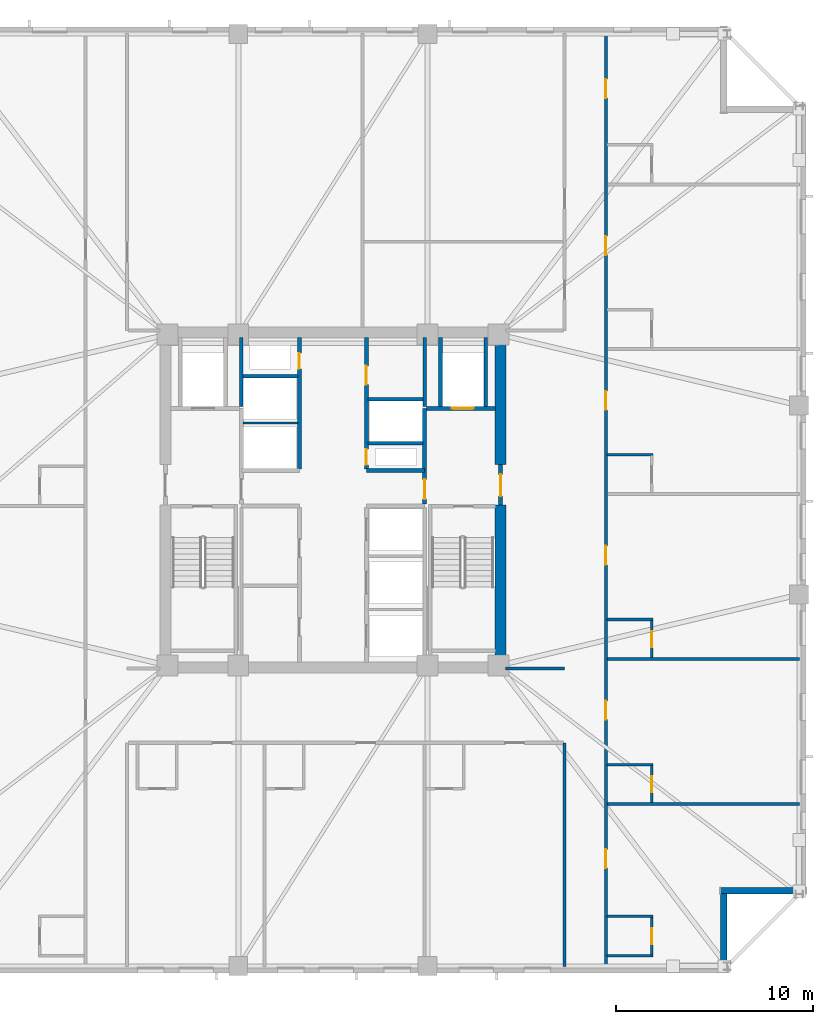
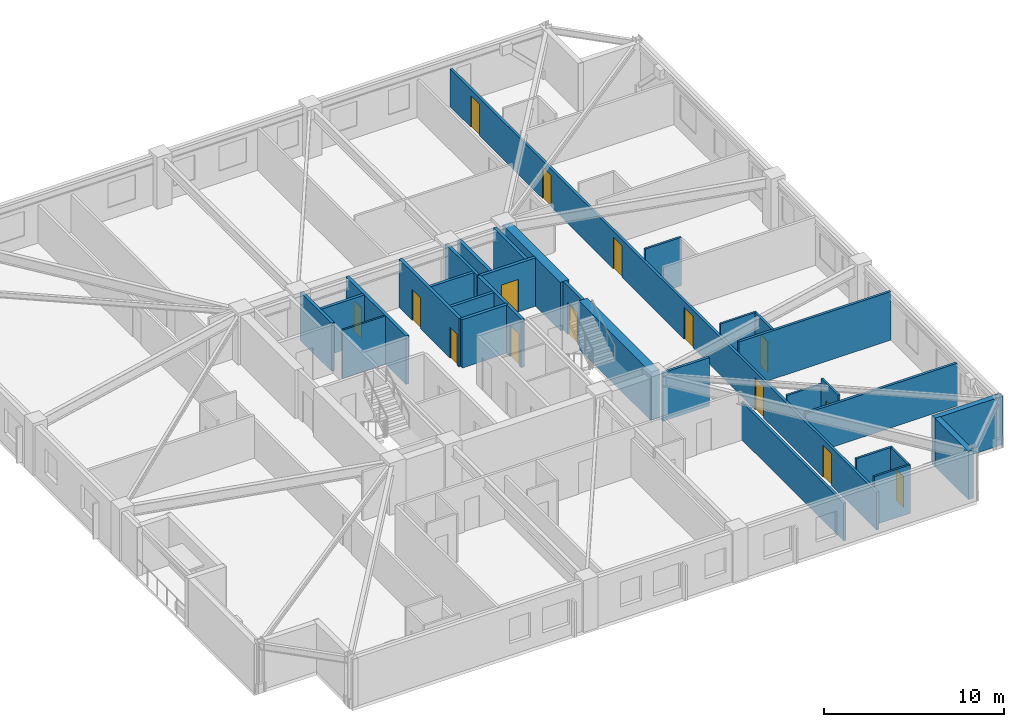
# One storey, part 4 of 11: 31 walls, 15 doors, 15 openings.
"""IFC4 building model written with IfcOpenShell, lengths in metres."""

from ifc_helpers import new_model, si_unit, direction, frame, frame_2d, origin, place, context, subcontext, project, spatial, rectangle, extrude, material, layer, layer_set, type_object, element, fill, save


model = new_model("IFC4")

# Units and contexts
model_context = context("Model", 3, precision=1e-05, world=origin(), true_north=direction((0.0, 1.0)))
body_context = subcontext(model_context, "Body", "Model", "MODEL_VIEW")
ifc_project = project(units=[si_unit("LENGTHUNIT", "METRE"), si_unit("AREAUNIT", "SQUARE_METRE"), si_unit("VOLUMEUNIT", "CUBIC_METRE"), si_unit("PLANEANGLEUNIT", "RADIAN"), si_unit("MASSUNIT", "GRAM", prefix="KILO")], contexts=[model_context])

# Site, building, storey
site_placement = place(None, origin())
site = spatial("IfcSite", under=ifc_project, at=site_placement, CompositionType="ELEMENT")
building_placement = place(site_placement, origin())
building = spatial("IfcBuilding", under=site, at=building_placement, Name="Cairnveth Concourse Tower", CompositionType="ELEMENT")
storey_placement = place(building_placement, frame((0.0, 0.0, 130.5)))
storey = spatial("IfcBuildingStorey", under=building, at=storey_placement, Name="L35", CompositionType="ELEMENT", Elevation=130.5)

# Wall, openings, doors
ifc_material_1 = material(Name="Gypsum Plasterboard Partition", Category="gypsum")
ifc_layer_1 = layer(ifc_material_1, 0.159912109375)
ifc_layer_set_1 = layer_set([ifc_layer_1], Name="Gypsum Plasterboard Partition")
wall_type_1 = type_object("IfcWallType", Name="ACOUSTIC PARTY WALL 180", PredefinedType="PARTITIONING", material=ifc_layer_set_1)
wall_1_placement = place(storey_placement, frame((65.85009765625, 15.324951171875, 0.0), z_axis=(0.0, 0.0, 1.0), x_axis=(0.0, 1.0, 0.0)))
wall_1 = element("IfcWall", 1, at=wall_1_placement, inside=storey, type_object=wall_type_1, Name="Interior Wall IW-L35-041", PredefinedType="PARTITIONING", context=body_context, shape_type="SweptSolid", body=[
    extrude(rectangle(XDim=47.35009765625, YDim=0.159912109375, at=frame_2d((23.675048828125, 0.0))), origin(), (0.0, 0.0, 1.0), 2.554931640625),
])
opening_1_placement = place(wall_1_placement, frame((4.992919921875, 0.0, 0.0)))
opening_1 = element("IfcOpeningElement", 2, at=opening_1_placement, cuts=wall_1, Name="Opening ID09", PredefinedType="OPENING", context=body_context, shape_type="SweptSolid", body=[
    extrude(rectangle(XDim=0.9599609375, YDim=2.14990234375, at=frame_2d((0.47998046875, 1.074951171875))), frame((0.0, 0.08984375, 0.0), z_axis=(0.0, -1.0, 0.0), x_axis=(1.0, 0.0, 0.0)), (0.0, 0.0, 1.0), 0.179931640625),
])
opening_2_placement = place(wall_1_placement, frame((12.525390625, 0.0, 0.0)))
opening_2 = element("IfcOpeningElement", 3, at=opening_2_placement, cuts=wall_1, Name="Opening ID09", PredefinedType="OPENING", context=body_context, shape_type="SweptSolid", body=[
    extrude(rectangle(XDim=0.9599609375, YDim=2.14990234375, at=frame_2d((0.47998046875, 1.074951171875))), frame((0.0, 0.08984375, 0.0), z_axis=(0.0, -1.0, 0.0), x_axis=(1.0, 0.0, 0.0)), (0.0, 0.0, 1.0), 0.179931640625),
])
opening_3_placement = place(wall_1_placement, frame((20.385498046875, 0.0, 0.0)))
opening_3 = element("IfcOpeningElement", 4, at=opening_3_placement, cuts=wall_1, Name="Opening ID09", PredefinedType="OPENING", context=body_context, shape_type="SweptSolid", body=[
    extrude(rectangle(XDim=0.9599609375, YDim=2.14990234375, at=frame_2d((0.47998046875, 1.074951171875))), frame((0.0, 0.08984375, 0.0), z_axis=(0.0, -1.0, 0.0), x_axis=(1.0, 0.0, 0.0)), (0.0, 0.0, 1.0), 0.179931640625),
])
opening_4_placement = place(wall_1_placement, frame((28.24560546875, 0.0, 0.0)))
opening_4 = element("IfcOpeningElement", 5, at=opening_4_placement, cuts=wall_1, Name="Opening ID09", PredefinedType="OPENING", context=body_context, shape_type="SweptSolid", body=[
    extrude(rectangle(XDim=0.9599609375, YDim=2.14990234375, at=frame_2d((0.47998046875, 1.074951171875))), frame((0.0, 0.08984375, 0.0), z_axis=(0.0, -1.0, 0.0), x_axis=(1.0, 0.0, 0.0)), (0.0, 0.0, 1.0), 0.179931640625),
])
opening_5_placement = place(wall_1_placement, frame((36.10546875, 0.0, 0.0)))
opening_5 = element("IfcOpeningElement", 6, at=opening_5_placement, cuts=wall_1, Name="Opening ID09", PredefinedType="OPENING", context=body_context, shape_type="SweptSolid", body=[
    extrude(rectangle(XDim=0.9599609375, YDim=2.14990234375, at=frame_2d((0.47998046875, 1.074951171875))), frame((0.0, 0.08984375, 0.0), z_axis=(0.0, -1.0, 0.0), x_axis=(1.0, 0.0, 0.0)), (0.0, 0.0, 1.0), 0.179931640625),
])
opening_6_placement = place(wall_1_placement, frame((44.06787109375, 0.0, 0.0)))
opening_6 = element("IfcOpeningElement", 7, at=opening_6_placement, cuts=wall_1, Name="Opening ID09", PredefinedType="OPENING", context=body_context, shape_type="SweptSolid", body=[
    extrude(rectangle(XDim=0.9599609375, YDim=2.14990234375, at=frame_2d((0.47998046875, 1.074951171875))), frame((0.0, 0.08984375, 0.0), z_axis=(0.0, -1.0, 0.0), x_axis=(1.0, 0.0, 0.0)), (0.0, 0.0, 1.0), 0.179931640625),
])
ifc_material_2 = material(Name="Solid Core Hardwood Timber Leaf", Category="wood")
door_type_1 = type_object("IfcDoorType", Name="HOTEL ENTRANCE DOOR 960X2150", OperationType="NOTDEFINED", PredefinedType="DOOR", material=ifc_material_2)
door_1_placement = place(opening_1_placement, origin())
door_1 = element("IfcDoor", 8, at=door_1_placement, inside=storey, type_object=door_type_1, Name="Hotel Room Door L35-E1", OperationType="SINGLE_SWING_LEFT", OverallHeight=2.14990234375, OverallWidth=0.9599609375, PredefinedType="DOOR", context=body_context, shape_type="SweptSolid", body=[
    extrude(rectangle(XDim=0.9599609375, YDim=2.14990234375, at=frame_2d((0.47998046875, 1.074951171875))), frame((0.0, 0.02490234375, 0.0), z_axis=(0.0, -1.0, 0.0), x_axis=(1.0, 0.0, 0.0)), (0.0, 0.0, 1.0), 0.050048828125),
])
fill(opening_1, door_1)
door_2_placement = place(opening_2_placement, origin())
door_2 = element("IfcDoor", 9, at=door_2_placement, inside=storey, type_object=door_type_1, Name="Hotel Room Door L35-E2", OperationType="SINGLE_SWING_LEFT", OverallHeight=2.14990234375, OverallWidth=0.9599609375, PredefinedType="DOOR", context=body_context, shape_type="SweptSolid", body=[
    extrude(rectangle(XDim=0.9599609375, YDim=2.14990234375, at=frame_2d((0.47998046875, 1.074951171875))), frame((0.0, 0.02490234375, 0.0), z_axis=(0.0, -1.0, 0.0), x_axis=(1.0, 0.0, 0.0)), (0.0, 0.0, 1.0), 0.050048828125),
])
fill(opening_2, door_2)
door_3_placement = place(opening_3_placement, origin())
door_3 = element("IfcDoor", 10, at=door_3_placement, inside=storey, type_object=door_type_1, Name="Hotel Room Door L35-E3", OperationType="SINGLE_SWING_LEFT", OverallHeight=2.14990234375, OverallWidth=0.9599609375, PredefinedType="DOOR", context=body_context, shape_type="SweptSolid", body=[
    extrude(rectangle(XDim=0.9599609375, YDim=2.14990234375, at=frame_2d((0.47998046875, 1.074951171875))), frame((0.0, 0.02490234375, 0.0), z_axis=(0.0, -1.0, 0.0), x_axis=(1.0, 0.0, 0.0)), (0.0, 0.0, 1.0), 0.050048828125),
])
fill(opening_3, door_3)
door_4_placement = place(opening_4_placement, origin())
door_4 = element("IfcDoor", 11, at=door_4_placement, inside=storey, type_object=door_type_1, Name="Hotel Room Door L35-E4", OperationType="SINGLE_SWING_LEFT", OverallHeight=2.14990234375, OverallWidth=0.9599609375, PredefinedType="DOOR", context=body_context, shape_type="SweptSolid", body=[
    extrude(rectangle(XDim=0.9599609375, YDim=2.14990234375, at=frame_2d((0.47998046875, 1.074951171875))), frame((0.0, 0.02490234375, 0.0), z_axis=(0.0, -1.0, 0.0), x_axis=(1.0, 0.0, 0.0)), (0.0, 0.0, 1.0), 0.050048828125),
])
fill(opening_4, door_4)
door_5_placement = place(opening_5_placement, origin())
door_5 = element("IfcDoor", 12, at=door_5_placement, inside=storey, type_object=door_type_1, Name="Hotel Room Door L35-E5", OperationType="SINGLE_SWING_LEFT", OverallHeight=2.14990234375, OverallWidth=0.9599609375, PredefinedType="DOOR", context=body_context, shape_type="SweptSolid", body=[
    extrude(rectangle(XDim=0.9599609375, YDim=2.14990234375, at=frame_2d((0.47998046875, 1.074951171875))), frame((0.0, 0.02490234375, 0.0), z_axis=(0.0, -1.0, 0.0), x_axis=(1.0, 0.0, 0.0)), (0.0, 0.0, 1.0), 0.050048828125),
])
fill(opening_5, door_5)
door_6_placement = place(opening_6_placement, origin())
door_6 = element("IfcDoor", 13, at=door_6_placement, inside=storey, type_object=door_type_1, Name="Hotel Room Door L35-E6", OperationType="SINGLE_SWING_LEFT", OverallHeight=2.14990234375, OverallWidth=0.9599609375, PredefinedType="DOOR", context=body_context, shape_type="SweptSolid", body=[
    extrude(rectangle(XDim=0.9599609375, YDim=2.14990234375, at=frame_2d((0.47998046875, 1.074951171875))), frame((0.0, 0.02490234375, 0.0), z_axis=(0.0, -1.0, 0.0), x_axis=(1.0, 0.0, 0.0)), (0.0, 0.0, 1.0), 0.050048828125),
])
fill(opening_6, door_6)

# Walls
wall_2_placement = place(storey_placement, frame((63.75, 15.324951171875, 0.0), z_axis=(0.0, 0.0, 1.0), x_axis=(0.0, 1.0, 0.0)))
element("IfcWall", 14, at=wall_2_placement, inside=storey, type_object=wall_type_1, Name="Interior Wall IW-L35-042", PredefinedType="PARTITIONING", context=body_context, shape_type="SweptSolid", body=[
    extrude(rectangle(XDim=11.35498046875, YDim=0.159912109375, at=frame_2d((5.677490234375, 0.0))), origin(), (0.0, 0.0, 1.0), 2.554931640625),
])
wall_3_placement = place(storey_placement, frame((60.764892578125, 30.449951171875, 0.0), z_axis=(0.0, 0.0, 1.0), x_axis=(1.0, 0.0, 0.0)))
element("IfcWall", 15, at=wall_3_placement, inside=storey, type_object=wall_type_1, Name="Interior Wall IW-L35-044", PredefinedType="PARTITIONING", context=body_context, shape_type="SweptSolid", body=[
    extrude(rectangle(XDim=2.985107421875, YDim=0.159912109375, at=frame_2d((1.49267578125, 0.0))), origin(), (0.0, 0.0, 1.0), 3.280029296875),
])
wall_4_placement = place(storey_placement, frame((65.929931640625, 23.57568359375, 0.0), z_axis=(0.0, 0.0, 1.0), x_axis=(1.0, 0.0, 0.0)))
element("IfcWall", 16, at=wall_4_placement, inside=storey, type_object=wall_type_1, Name="Interior Wall IW-L35-067", PredefinedType="PARTITIONING", context=body_context, shape_type="SweptSolid", body=[
    extrude(rectangle(XDim=9.7451171875, YDim=0.159912109375, at=frame_2d((4.87255859375, 0.0))), origin(), (0.0, 0.0, 1.0), 2.89599609375),
])
wall_5_placement = place(storey_placement, frame((65.929931640625, 30.935302734375, 0.0), z_axis=(0.0, 0.0, 1.0), x_axis=(1.0, 0.0, 0.0)))
element("IfcWall", 17, at=wall_5_placement, inside=storey, type_object=wall_type_1, Name="Interior Wall IW-L35-070", PredefinedType="PARTITIONING", context=body_context, shape_type="SweptSolid", body=[
    extrude(rectangle(XDim=9.7451171875, YDim=0.159912109375, at=frame_2d((4.87255859375, 0.0))), origin(), (0.0, 0.0, 1.0), 3.280029296875),
])
ifc_material_3 = material(Name="Concrete N80 (80 MPa)", Category="concrete")
ifc_layer_2 = layer(ifc_material_3, 0.550048828125)
ifc_layer_set_2 = layer_set([ifc_layer_2], Name="Concrete N80 (80 MPa)")
wall_type_2 = type_object("IfcWallType", Name="CORE SHEAR WALL 550", PredefinedType="SHEAR", material=ifc_layer_set_2)
wall_6_placement = place(storey_placement, frame((60.5, 30.764892578125, 0.0), z_axis=(0.0, 0.0, 1.0), x_axis=(0.0, 1.0, 0.0)))
element("IfcWall", 18, at=wall_6_placement, inside=storey, type_object=wall_type_2, Name="Core East Shear Wall S L35", PredefinedType="SHEAR", context=body_context, shape_type="SweptSolid", body=[
    extrude(rectangle(XDim=7.985107421875, YDim=0.550048828125, at=frame_2d((3.99267578125, 0.0))), origin(), (0.0, 0.0, 1.0), 3.280029296875),
])
wall_7_placement = place(storey_placement, frame((60.5, 40.800048828125, 0.0), z_axis=(0.0, 0.0, 1.0), x_axis=(0.0, 1.0, 0.0)))
element("IfcWall", 19, at=wall_7_placement, inside=storey, type_object=wall_type_2, Name="Core East Shear Wall N L35", PredefinedType="SHEAR", context=body_context, shape_type="SweptSolid", body=[
    extrude(rectangle(XDim=6.43505859375, YDim=0.550048828125, at=frame_2d((3.217529296875, 0.0))), origin(), (0.0, 0.0, 1.0), 3.280029296875),
])
ifc_material_4 = material(Name="Concrete N50 (50 MPa)", Category="concrete")
ifc_layer_3 = layer(ifc_material_4, 0.179931640625)
ifc_layer_set_3 = layer_set([ifc_layer_3], Name="Concrete N50 (50 MPa)")
wall_type_3 = type_object("IfcWallType", Name="FIRE SHAFT WALL 180", PredefinedType="SOLIDWALL", material=ifc_layer_set_3)
wall_8_placement = place(storey_placement, frame((47.35009765625, 43.735107421875, 0.0), z_axis=(0.0, 0.0, 1.0), x_axis=(0.0, 1.0, 0.0)))
element("IfcWall", 20, at=wall_8_placement, inside=storey, type_object=wall_type_3, Name="Interior Wall IW-L35-030", PredefinedType="SOLIDWALL", context=body_context, shape_type="SweptSolid", body=[
    extrude(rectangle(XDim=3.5048828125, YDim=0.179931640625, at=frame_2d((1.75244140625, 0.0))), origin(), (0.0, 0.0, 1.0), 3.280029296875),
])
wall_9_placement = place(storey_placement, frame((47.425048828125, 45.280029296875, 0.0), z_axis=(0.0, 0.0, 1.0), x_axis=(1.0, 0.0, 0.0)))
element("IfcWall", 21, at=wall_9_placement, inside=storey, type_object=wall_type_3, Name="Interior Wall IW-L35-032", PredefinedType="SOLIDWALL", context=body_context, shape_type="SweptSolid", body=[
    extrude(rectangle(XDim=2.7900390625, YDim=0.179931640625, at=frame_2d((1.39501953125, 0.0))), origin(), (0.0, 0.0, 1.0), 3.280029296875),
])
wall_10_placement = place(storey_placement, frame((56.64990234375, 43.735107421875, 0.0), z_axis=(0.0, 0.0, 1.0), x_axis=(0.0, 1.0, 0.0)))
element("IfcWall", 22, at=wall_10_placement, inside=storey, type_object=wall_type_3, Name="Interior Wall IW-L35-033", PredefinedType="SOLIDWALL", context=body_context, shape_type="SweptSolid", body=[
    extrude(rectangle(XDim=3.5048828125, YDim=0.179931640625, at=frame_2d((1.75244140625, 0.0))), origin(), (0.0, 0.0, 1.0), 3.280029296875),
])
wall_11_placement = place(storey_placement, frame((53.784912109375, 41.8798828125, 0.0), z_axis=(0.0, 0.0, 1.0), x_axis=(1.0, 0.0, 0.0)))
element("IfcWall", 23, at=wall_11_placement, inside=storey, type_object=wall_type_3, Name="Interior Wall IW-L35-034", PredefinedType="SOLIDWALL", context=body_context, shape_type="SweptSolid", body=[
    extrude(rectangle(XDim=2.780029296875, YDim=0.179931640625, at=frame_2d((1.39013671875, 0.0))), origin(), (0.0, 0.0, 1.0), 3.280029296875),
])
wall_12_placement = place(storey_placement, frame((53.784912109375, 44.1201171875, 0.0), z_axis=(0.0, 0.0, 1.0), x_axis=(1.0, 0.0, 0.0)))
element("IfcWall", 24, at=wall_12_placement, inside=storey, type_object=wall_type_3, Name="Interior Wall IW-L35-035", PredefinedType="SOLIDWALL", context=body_context, shape_type="SweptSolid", body=[
    extrude(rectangle(XDim=2.7900390625, YDim=0.179931640625, at=frame_2d((1.39501953125, 0.0))), origin(), (0.0, 0.0, 1.0), 3.280029296875),
])
ifc_layer_4 = layer(ifc_material_4, 0.199951171875)
ifc_layer_set_4 = layer_set([ifc_layer_4], Name="Concrete N50 (50 MPa)")
wall_type_4 = type_object("IfcWallType", Name="FIRE SHAFT WALL 200", PredefinedType="SOLIDWALL", material=ifc_layer_set_4)
wall_13_placement = place(storey_placement, frame((53.699951171875, 40.5, 0.0), z_axis=(0.0, 0.0, 1.0), x_axis=(1.0, 0.0, 0.0)))
element("IfcWall", 25, at=wall_13_placement, inside=storey, type_object=wall_type_4, Name="Interior Wall IW-L35-010", PredefinedType="SOLIDWALL", context=body_context, shape_type="SweptSolid", body=[
    extrude(rectangle(XDim=2.949951171875, YDim=0.199951171875, at=frame_2d((1.47509765625, 0.0))), origin(), (0.0, 0.0, 1.0), 3.280029296875),
])

# Wall, opening, door
wall_14_placement = place(storey_placement, frame((50.300048828125, 40.5849609375, 0.0), z_axis=(0.0, 0.0, 1.0), x_axis=(0.0, 1.0, 0.0)))
wall_14 = element("IfcWall", 26, at=wall_14_placement, inside=storey, type_object=wall_type_4, Name="Interior Wall IW-L35-013", PredefinedType="SOLIDWALL", context=body_context, shape_type="SweptSolid", body=[
    extrude(rectangle(XDim=6.655029296875, YDim=0.199951171875, at=frame_2d((3.32763671875, 0.0))), origin(), (0.0, 0.0, 1.0), 3.280029296875),
])
opening_7_placement = place(wall_14_placement, frame((5.06494140625, 0.0, 0.0)))
opening_7 = element("IfcOpeningElement", 27, at=opening_7_placement, cuts=wall_14, Name="Opening ID24", PredefinedType="OPENING", context=body_context, shape_type="SweptSolid", body=[
    extrude(rectangle(XDim=0.800048828125, YDim=2.080078125, at=frame_2d((0.39990234375, 1.0400390625))), frame((0.0, 0.10986328125, 0.0), z_axis=(0.0, -1.0, 0.0), x_axis=(1.0, 0.0, 0.0)), (0.0, 0.0, 1.0), 0.219970703125),
])
ifc_material_5 = material(Name="Steel Grade 350", Category="steel")
door_type_2 = type_object("IfcDoorType", Name="RISER ACCESS DOOR 800X2100", OperationType="NOTDEFINED", PredefinedType="DOOR", material=ifc_material_5)
door_7_placement = place(opening_7_placement, origin())
door_7 = element("IfcDoor", 28, at=door_7_placement, inside=storey, type_object=door_type_2, Name="NW Electrical Riser Access Door L35", OperationType="SINGLE_SWING_RIGHT", OverallHeight=2.080078125, OverallWidth=0.800048828125, PredefinedType="DOOR", context=body_context, shape_type="SweptSolid", body=[
    extrude(rectangle(XDim=0.800048828125, YDim=2.080078125, at=frame_2d((0.39990234375, 1.0400390625))), frame((0.0, 0.02490234375, 0.0), z_axis=(0.0, -1.0, 0.0), x_axis=(1.0, 0.0, 0.0)), (0.0, 0.0, 1.0), 0.050048828125),
])
fill(opening_7, door_7)

# Wall, openings, doors
wall_15_placement = place(storey_placement, frame((53.699951171875, 40.5849609375, 0.0), z_axis=(0.0, 0.0, 1.0), x_axis=(0.0, 1.0, 0.0)))
wall_15 = element("IfcWall", 29, at=wall_15_placement, inside=storey, type_object=wall_type_4, Name="Interior Wall IW-L35-014", PredefinedType="SOLIDWALL", context=body_context, shape_type="SweptSolid", body=[
    extrude(rectangle(XDim=6.655029296875, YDim=0.199951171875, at=frame_2d((3.32763671875, 0.0))), origin(), (0.0, 0.0, 1.0), 3.280029296875),
])
opening_8_placement = place(wall_15_placement, frame((0.195068359375, 0.0, 0.0)))
opening_8 = element("IfcOpeningElement", 30, at=opening_8_placement, cuts=wall_15, Name="Opening ID24", PredefinedType="OPENING", context=body_context, shape_type="SweptSolid", body=[
    extrude(rectangle(XDim=0.800048828125, YDim=2.080078125, at=frame_2d((0.39990234375, 1.0400390625))), frame((0.0, 0.10986328125, 0.0), z_axis=(0.0, -1.0, 0.0), x_axis=(1.0, 0.0, 0.0)), (0.0, 0.0, 1.0), 0.219970703125),
])
opening_9_placement = place(wall_15_placement, frame((4.264892578125, 0.0, 0.0)))
opening_9 = element("IfcOpeningElement", 31, at=opening_9_placement, cuts=wall_15, Name="Opening ID25", PredefinedType="OPENING", context=body_context, shape_type="SweptSolid", body=[
    extrude(rectangle(XDim=0.949951171875, YDim=2.1201171875, at=frame_2d((0.47509765625, 1.06005859375))), frame((0.0, 0.10986328125, 0.0), z_axis=(0.0, -1.0, 0.0), x_axis=(1.0, 0.0, 0.0)), (0.0, 0.0, 1.0), 0.219970703125),
])
door_type_3 = type_object("IfcDoorType", Name="CORE ACCESSIBLE FIRE DOOR 950X2120", OperationType="NOTDEFINED", PredefinedType="DOOR", material=ifc_material_5)
door_8_placement = place(opening_9_placement, origin())
door_8 = element("IfcDoor", 32, at=door_8_placement, inside=storey, type_object=door_type_3, Name="Core NE Accessible WC Door L35", OperationType="SINGLE_SWING_RIGHT", OverallHeight=2.1201171875, OverallWidth=0.949951171875, PredefinedType="DOOR", context=body_context, shape_type="SweptSolid", body=[
    extrude(rectangle(XDim=0.949951171875, YDim=2.1201171875, at=frame_2d((0.47509765625, 1.06005859375))), frame((0.0, 0.02490234375, 0.0), z_axis=(0.0, -1.0, 0.0), x_axis=(1.0, 0.0, 0.0)), (0.0, 0.0, 1.0), 0.050048828125),
])
fill(opening_9, door_8)
door_9_placement = place(opening_8_placement, origin())
door_9 = element("IfcDoor", 33, at=door_9_placement, inside=storey, type_object=door_type_2, Name="Hydraulic Riser Door L35", OperationType="SINGLE_SWING_LEFT", OverallHeight=2.080078125, OverallWidth=0.800048828125, PredefinedType="DOOR", context=body_context, shape_type="SweptSolid", body=[
    extrude(rectangle(XDim=0.800048828125, YDim=2.080078125, at=frame_2d((0.39990234375, 1.0400390625))), frame((0.0, 0.02490234375, 0.0), z_axis=(0.0, -1.0, 0.0), x_axis=(1.0, 0.0, 0.0)), (0.0, 0.0, 1.0), 0.050048828125),
])
fill(opening_8, door_9)

# Wall, opening, door
wall_16_placement = place(storey_placement, frame((60.5, 38.75, 0.0), z_axis=(0.0, 0.0, 1.0), x_axis=(0.0, 1.0, 0.0)))
wall_16 = element("IfcWall", 34, at=wall_16_placement, inside=storey, type_object=wall_type_4, Name="Interior Wall IW-L35-020", PredefinedType="SOLIDWALL", context=body_context, shape_type="SweptSolid", body=[
    extrude(rectangle(XDim=2.050048828125, YDim=0.199951171875, at=frame_2d((1.02490234375, 0.0))), origin(), (0.0, 0.0, 1.0), 3.280029296875),
])
opening_10_placement = place(wall_16_placement, frame((0.449951171875, 0.0, 0.0)))
opening_10 = element("IfcOpeningElement", 35, at=opening_10_placement, cuts=wall_16, Name="Opening ID06", PredefinedType="OPENING", context=body_context, shape_type="SweptSolid", body=[
    extrude(rectangle(XDim=1.10009765625, YDim=2.14990234375, at=frame_2d((0.550048828125, 1.074951171875))), frame((0.0, 0.10986328125, 0.0), z_axis=(0.0, -1.0, 0.0), x_axis=(1.0, 0.0, 0.0)), (0.0, 0.0, 1.0), 0.219970703125),
])
door_type_4 = type_object("IfcDoorType", Name="FIRE CORRIDOR DOOR 1100X2150", OperationType="NOTDEFINED", PredefinedType="DOOR", material=ifc_material_5)
door_10_placement = place(opening_10_placement, origin())
door_10 = element("IfcDoor", 36, at=door_10_placement, inside=storey, type_object=door_type_4, Name="East Wing to FF Lobby Door L35", OperationType="SINGLE_SWING_RIGHT", OverallHeight=2.14990234375, OverallWidth=1.10009765625, PredefinedType="DOOR", context=body_context, shape_type="SweptSolid", body=[
    extrude(rectangle(XDim=1.10009765625, YDim=2.14990234375, at=frame_2d((0.550048828125, 1.074951171875))), frame((0.0, 0.02490234375, 0.0), z_axis=(0.0, -1.0, 0.0), x_axis=(1.0, 0.0, 0.0)), (0.0, 0.0, 1.0), 0.050048828125),
])
fill(opening_10, door_10)

wall_17_placement = place(storey_placement, frame((56.64990234375, 38.784912109375, 0.0), z_axis=(0.0, 0.0, 1.0), x_axis=(0.0, 1.0, 0.0)))
wall_17 = element("IfcWall", 37, at=wall_17_placement, inside=storey, type_object=wall_type_4, Name="Interior Wall IW-L35-021", PredefinedType="SOLIDWALL", context=body_context, shape_type="SweptSolid", body=[
    extrude(rectangle(XDim=4.864990234375, YDim=0.199951171875, at=frame_2d((2.4326171875, 0.0))), origin(), (0.0, 0.0, 1.0), 3.280029296875),
])
opening_11_placement = place(wall_17_placement, frame((0.264892578125, 0.0, 0.0)))
opening_11 = element("IfcOpeningElement", 38, at=opening_11_placement, cuts=wall_17, Name="Opening ID07", PredefinedType="OPENING", context=body_context, shape_type="SweptSolid", body=[
    extrude(rectangle(XDim=1.0, YDim=2.14990234375, at=frame_2d((0.5, 1.074951171875))), frame((0.0, 0.10986328125, 0.0), z_axis=(0.0, -1.0, 0.0), x_axis=(1.0, 0.0, 0.0)), (0.0, 0.0, 1.0), 0.219970703125),
])
door_type_5 = type_object("IfcDoorType", Name="FIRE CORRIDOR DOOR 1000X2150", OperationType="NOTDEFINED", PredefinedType="DOOR", material=ifc_material_5)
door_11_placement = place(opening_11_placement, origin())
door_11 = element("IfcDoor", 39, at=door_11_placement, inside=storey, type_object=door_type_5, Name="FF Lobby East to Lift Lobby Door L35", OperationType="SINGLE_SWING_LEFT", OverallHeight=2.14990234375, OverallWidth=1.0, PredefinedType="DOOR", context=body_context, shape_type="SweptSolid", body=[
    extrude(rectangle(XDim=1.0, YDim=2.14990234375, at=frame_2d((0.5, 1.074951171875))), frame((0.0, 0.02490234375, 0.0), z_axis=(0.0, -1.0, 0.0), x_axis=(1.0, 0.0, 0.0)), (0.0, 0.0, 1.0), 0.050048828125),
])
fill(opening_11, door_11)

wall_18_placement = place(storey_placement, frame((56.735107421875, 43.64990234375, 0.0), z_axis=(0.0, 0.0, 1.0), x_axis=(1.0, 0.0, 0.0)))
wall_18 = element("IfcWall", 40, at=wall_18_placement, inside=storey, type_object=wall_type_4, Name="Interior Wall IW-L35-022", PredefinedType="SOLIDWALL", context=body_context, shape_type="SweptSolid", body=[
    extrude(rectangle(XDim=3.5048828125, YDim=0.199951171875, at=frame_2d((1.75244140625, 0.0))), origin(), (0.0, 0.0, 1.0), 3.280029296875),
])
opening_12_placement = place(wall_18_placement, frame((1.294921875, 0.0, 0.0)))
opening_12 = element("IfcOpeningElement", 41, at=opening_12_placement, cuts=wall_18, Name="Opening LD-1", PredefinedType="OPENING", context=body_context, shape_type="SweptSolid", body=[
    extrude(rectangle(XDim=1.10009765625, YDim=2.199951171875, at=frame_2d((0.550048828125, 1.10009765625))), frame((0.0, 0.10986328125, 0.0), z_axis=(0.0, -1.0, 0.0), x_axis=(1.0, 0.0, 0.0)), (0.0, 0.0, 1.0), 0.219970703125),
])
ifc_material_6 = material(Name="Architectural Bronze Anodised Aluminium 6063-T6", Category="aluminium")
door_type_6 = type_object("IfcDoorType", Name="LIFT LANDING DOOR 1100X2200", OperationType="SLIDING_TO_LEFT", PredefinedType="DOOR", material=ifc_material_6)
door_12_placement = place(opening_12_placement, origin())
door_12 = element("IfcDoor", 42, at=door_12_placement, inside=storey, type_object=door_type_6, Name="Lift FFL2 Landing Door L35", OperationType="SLIDING_TO_LEFT", OverallHeight=2.199951171875, OverallWidth=1.10009765625, PredefinedType="DOOR", context=body_context, shape_type="SweptSolid", body=[
    extrude(rectangle(XDim=1.10009765625, YDim=2.199951171875, at=frame_2d((0.550048828125, 1.10009765625))), frame((0.0, 0.02490234375, 0.0), z_axis=(0.0, -1.0, 0.0), x_axis=(1.0, 0.0, 0.0)), (0.0, 0.0, 1.0), 0.050048828125),
])
fill(opening_12, door_12)

# Walls
for number, where, z_axis, x_axis, name in (
    (43, (57.449951171875, 43.735107421875, 0.0), (0.0, 0.0, 1.0), (0.0, 1.0, 0.0), "Interior Wall IW-L35-023"),
    (44, (59.75, 43.735107421875, 0.0), (0.0, 0.0, 1.0), (0.0, 1.0, 0.0), "Interior Wall IW-L35-024"),
):
    element("IfcWall", number, at=place(storey_placement, frame(where, z_axis=z_axis, x_axis=x_axis)), inside=storey, type_object=wall_type_4, Name=name, PredefinedType="SOLIDWALL", context=body_context, shape_type="SweptSolid", body=[
        extrude(rectangle(XDim=3.5048828125, YDim=0.199951171875, at=frame_2d((1.75244140625, 0.0))), origin(), (0.0, 0.0, 1.0), 3.280029296875),
    ])
ifc_layer_5 = layer(ifc_material_1, 0.110107421875)
ifc_layer_set_5 = layer_set([ifc_layer_5], Name="Gypsum Plasterboard Partition")
wall_type_5 = type_object("IfcWallType", Name="SHAFT DIVIDER WALL 140", PredefinedType="PARTITIONING", material=ifc_layer_set_5)
wall_19_placement = place(storey_placement, frame((47.43505859375, 42.89990234375, 0.0), z_axis=(0.0, 0.0, 1.0), x_axis=(1.0, 0.0, 0.0)))
element("IfcWall", 45, at=wall_19_placement, inside=storey, type_object=wall_type_5, Name="Interior Wall IW-L35-031", PredefinedType="PARTITIONING", context=body_context, shape_type="SweptSolid", body=[
    extrude(rectangle(XDim=2.780029296875, YDim=0.110107421875, at=frame_2d((1.39013671875, 0.0))), origin(), (0.0, 0.0, 1.0), 3.280029296875),
])
ifc_layer_6 = layer(ifc_material_1, 0.1298828125)
ifc_layer_set_6 = layer_set([ifc_layer_6], Name="Gypsum Plasterboard Partition")
wall_type_6 = type_object("IfcWallType", Name="WET AREA PARTITION 140", PredefinedType="PLUMBINGWALL", material=ifc_layer_set_6)
for number, where, z_axis, x_axis, name in (
    (46, (65.9150390625, 15.8701171875, 0.0), (0.0, 0.0, 1.0), (1.0, 0.0, 0.0), "Interior Wall IW-L35-064"),
    (47, (65.9150390625, 17.8701171875, 0.0), (0.0, 0.0, 1.0), (1.0, 0.0, 0.0), "Interior Wall IW-L35-065"),
):
    element("IfcWall", number, at=place(storey_placement, frame(where, z_axis=z_axis, x_axis=x_axis)), inside=storey, type_object=wall_type_6, Name=name, PredefinedType="PLUMBINGWALL", context=body_context, shape_type="SweptSolid", body=[
        extrude(rectangle(XDim=2.31494140625, YDim=0.1298828125, at=frame_2d((1.157470703125, 0.0))), origin(), (0.0, 0.0, 1.0), 3.280029296875),
    ])

# Wall, opening, door
wall_20_placement = place(storey_placement, frame((68.179931640625, 15.919921875, 0.0), z_axis=(0.0, 0.0, 1.0), x_axis=(0.0, 1.0, 0.0)))
wall_20 = element("IfcWall", 48, at=wall_20_placement, inside=storey, type_object=wall_type_6, Name="Interior Wall IW-L35-066", PredefinedType="PLUMBINGWALL", context=body_context, shape_type="SweptSolid", body=[
    extrude(rectangle(XDim=1.900146484375, YDim=0.1298828125, at=frame_2d((0.9501953125, 0.0))), origin(), (0.0, 0.0, 1.0), 3.280029296875),
])
opening_13_placement = place(wall_20_placement, frame((0.5400390625, 0.0, 0.0)))
opening_13 = element("IfcOpeningElement", 49, at=opening_13_placement, cuts=wall_20, Name="Opening ID22", PredefinedType="OPENING", context=body_context, shape_type="SweptSolid", body=[
    extrude(rectangle(XDim=0.820068359375, YDim=2.10009765625, at=frame_2d((0.41015625, 1.050048828125))), frame((0.0, 0.074951171875, 0.0), z_axis=(0.0, -1.0, 0.0), x_axis=(1.0, 0.0, 0.0)), (0.0, 0.0, 1.0), 0.14990234375),
])
door_type_7 = type_object("IfcDoorType", Name="INTERIOR WC DOOR 820X2100", OperationType="NOTDEFINED", PredefinedType="DOOR", material=ifc_material_2)
door_13_placement = place(opening_13_placement, origin())
door_13 = element("IfcDoor", 50, at=door_13_placement, inside=storey, type_object=door_type_7, Name="En-Suite Door L35-E1", OperationType="SINGLE_SWING_RIGHT", OverallHeight=2.10009765625, OverallWidth=0.820068359375, PredefinedType="DOOR", context=body_context, shape_type="SweptSolid", body=[
    extrude(rectangle(XDim=0.820068359375, YDim=2.10009765625, at=frame_2d((0.41015625, 1.050048828125))), frame((0.0, 0.02490234375, 0.0), z_axis=(0.0, -1.0, 0.0), x_axis=(1.0, 0.0, 0.0)), (0.0, 0.0, 1.0), 0.050048828125),
])
fill(opening_13, door_13)

# Wall
wall_21_placement = place(storey_placement, frame((65.9150390625, 25.57568359375, 0.0), z_axis=(0.0, 0.0, 1.0), x_axis=(1.0, 0.0, 0.0)))
element("IfcWall", 51, at=wall_21_placement, inside=storey, type_object=wall_type_6, Name="Interior Wall IW-L35-068", PredefinedType="PLUMBINGWALL", context=body_context, shape_type="SweptSolid", body=[
    extrude(rectangle(XDim=2.31494140625, YDim=0.1298828125, at=frame_2d((1.157470703125, 0.0))), origin(), (0.0, 0.0, 1.0), 2.89599609375),
])

# Wall, opening, door
wall_22_placement = place(storey_placement, frame((68.179931640625, 23.640625, 0.0), z_axis=(0.0, 0.0, 1.0), x_axis=(0.0, 1.0, 0.0)))
wall_22 = element("IfcWall", 52, at=wall_22_placement, inside=storey, type_object=wall_type_6, Name="Interior Wall IW-L35-069", PredefinedType="PLUMBINGWALL", context=body_context, shape_type="SweptSolid", body=[
    extrude(rectangle(XDim=1.885009765625, YDim=0.1298828125, at=frame_2d((0.9423828125, 0.0))), origin(), (0.0, 0.0, 1.0), 3.280029296875),
])
opening_14_placement = place(wall_22_placement, frame((0.52490234375, 0.0, 0.0)))
opening_14 = element("IfcOpeningElement", 53, at=opening_14_placement, cuts=wall_22, Name="Opening ID22", PredefinedType="OPENING", context=body_context, shape_type="SweptSolid", body=[
    extrude(rectangle(XDim=0.820068359375, YDim=2.10009765625, at=frame_2d((0.41015625, 1.050048828125))), frame((0.0, 0.074951171875, 0.0), z_axis=(0.0, -1.0, 0.0), x_axis=(1.0, 0.0, 0.0)), (0.0, 0.0, 1.0), 0.14990234375),
])
door_14_placement = place(opening_14_placement, origin())
door_14 = element("IfcDoor", 54, at=door_14_placement, inside=storey, type_object=door_type_7, Name="En-Suite Door L35-E2", OperationType="SINGLE_SWING_RIGHT", OverallHeight=2.10009765625, OverallWidth=0.820068359375, PredefinedType="DOOR", context=body_context, shape_type="SweptSolid", body=[
    extrude(rectangle(XDim=0.820068359375, YDim=2.10009765625, at=frame_2d((0.41015625, 1.050048828125))), frame((0.0, 0.02490234375, 0.0), z_axis=(0.0, -1.0, 0.0), x_axis=(1.0, 0.0, 0.0)), (0.0, 0.0, 1.0), 0.050048828125),
])
fill(opening_14, door_14)

# Wall
wall_23_placement = place(storey_placement, frame((65.9150390625, 32.935302734375, 0.0), z_axis=(0.0, 0.0, 1.0), x_axis=(1.0, 0.0, 0.0)))
element("IfcWall", 55, at=wall_23_placement, inside=storey, type_object=wall_type_6, Name="Interior Wall IW-L35-071", PredefinedType="PLUMBINGWALL", context=body_context, shape_type="SweptSolid", body=[
    extrude(rectangle(XDim=2.31494140625, YDim=0.1298828125, at=frame_2d((1.157470703125, 0.0))), origin(), (0.0, 0.0, 1.0), 3.280029296875),
])

# Wall, opening, door
wall_24_placement = place(storey_placement, frame((68.179931640625, 31.000244140625, 0.0), z_axis=(0.0, 0.0, 1.0), x_axis=(0.0, 1.0, 0.0)))
wall_24 = element("IfcWall", 56, at=wall_24_placement, inside=storey, type_object=wall_type_6, Name="Interior Wall IW-L35-072", PredefinedType="PLUMBINGWALL", context=body_context, shape_type="SweptSolid", body=[
    extrude(rectangle(XDim=1.885009765625, YDim=0.1298828125, at=frame_2d((0.9423828125, 0.0))), origin(), (0.0, 0.0, 1.0), 3.280029296875),
])
opening_15_placement = place(wall_24_placement, frame((0.52490234375, 0.0, 0.0)))
opening_15 = element("IfcOpeningElement", 57, at=opening_15_placement, cuts=wall_24, Name="Opening ID22", PredefinedType="OPENING", context=body_context, shape_type="SweptSolid", body=[
    extrude(rectangle(XDim=0.820068359375, YDim=2.10009765625, at=frame_2d((0.41015625, 1.050048828125))), frame((0.0, 0.074951171875, 0.0), z_axis=(0.0, -1.0, 0.0), x_axis=(1.0, 0.0, 0.0)), (0.0, 0.0, 1.0), 0.14990234375),
])
door_15_placement = place(opening_15_placement, origin())
door_15 = element("IfcDoor", 58, at=door_15_placement, inside=storey, type_object=door_type_7, Name="En-Suite Door L35-E3", OperationType="SINGLE_SWING_RIGHT", OverallHeight=2.10009765625, OverallWidth=0.820068359375, PredefinedType="DOOR", context=body_context, shape_type="SweptSolid", body=[
    extrude(rectangle(XDim=0.820068359375, YDim=2.10009765625, at=frame_2d((0.41015625, 1.050048828125))), frame((0.0, 0.02490234375, 0.0), z_axis=(0.0, -1.0, 0.0), x_axis=(1.0, 0.0, 0.0)), (0.0, 0.0, 1.0), 0.050048828125),
])
fill(opening_15, door_15)

# Walls
wall_25_placement = place(storey_placement, frame((65.9150390625, 41.295654296875, 0.0), z_axis=(0.0, 0.0, 1.0), x_axis=(1.0, 0.0, 0.0)))
element("IfcWall", 59, at=wall_25_placement, inside=storey, type_object=wall_type_6, Name="Interior Wall IW-L35-074", PredefinedType="PLUMBINGWALL", context=body_context, shape_type="SweptSolid", body=[
    extrude(rectangle(XDim=2.31494140625, YDim=0.1298828125, at=frame_2d((1.157470703125, 0.0))), origin(), (0.0, 0.0, 1.0), 3.280029296875),
])
ifc_material_7 = material(Name="Hawthorn Red-Ochre Fired Clay Brick Masonry", Category="masonry")
ifc_layer_7 = layer(ifc_material_7, 0.340087890625)
ifc_layer_set_7 = layer_set([ifc_layer_7], Name="Hawthorn Red-Ochre Fired Clay Brick Masonry")
wall_type_7 = type_object("IfcWallType", Name="ZONE 2 BRICK PIER SPANDREL WALL 340", PredefinedType="SOLIDWALL", material=ifc_layer_set_7)
wall_26_placement = place(storey_placement, frame((76.0, 19.169921875, 0.0), z_axis=(0.0, 0.0, 1.0), x_axis=(-1.0, 0.0, 0.0)))
element("IfcWall", 60, at=wall_26_placement, inside=storey, type_object=wall_type_7, Name="Exterior Wall EW-L35-S07", PredefinedType="SOLIDWALL", context=body_context, shape_type="SweptSolid", body=[
    extrude(rectangle(XDim=4.340087890625, YDim=0.340087890625, at=frame_2d((2.169921875, 0.0))), origin(), (0.0, 0.0, 1.0), 3.280029296875),
])
wall_27_placement = place(storey_placement, frame((71.830078125, 19.02197265625, 0.0), z_axis=(0.0, 0.0, 1.0), x_axis=(0.0, -1.0, 0.0)))
element("IfcWall", 61, at=wall_27_placement, inside=storey, type_object=wall_type_7, Name="Exterior Wall EW-L35-S08", PredefinedType="SOLIDWALL", context=body_context, shape_type="SweptSolid", body=[
    extrude(rectangle(XDim=3.703857421875, YDim=0.340087890625, at=frame_2d((1.85205078125, 0.0))), origin(), (0.0, 0.0, 1.0), 3.280029296875),
])

save(model, "model.ifc")
